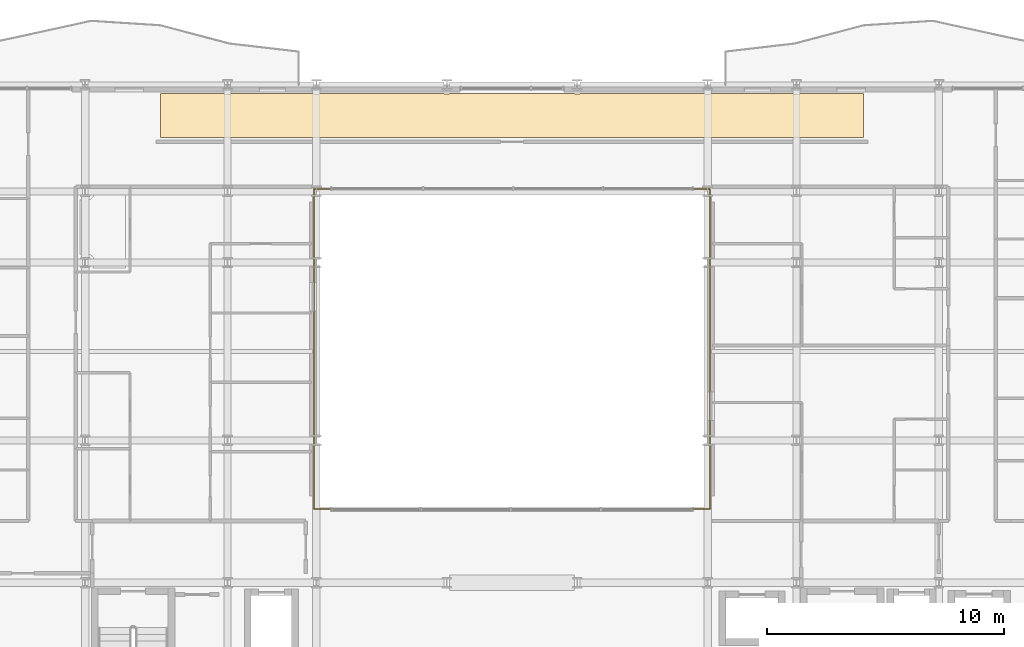
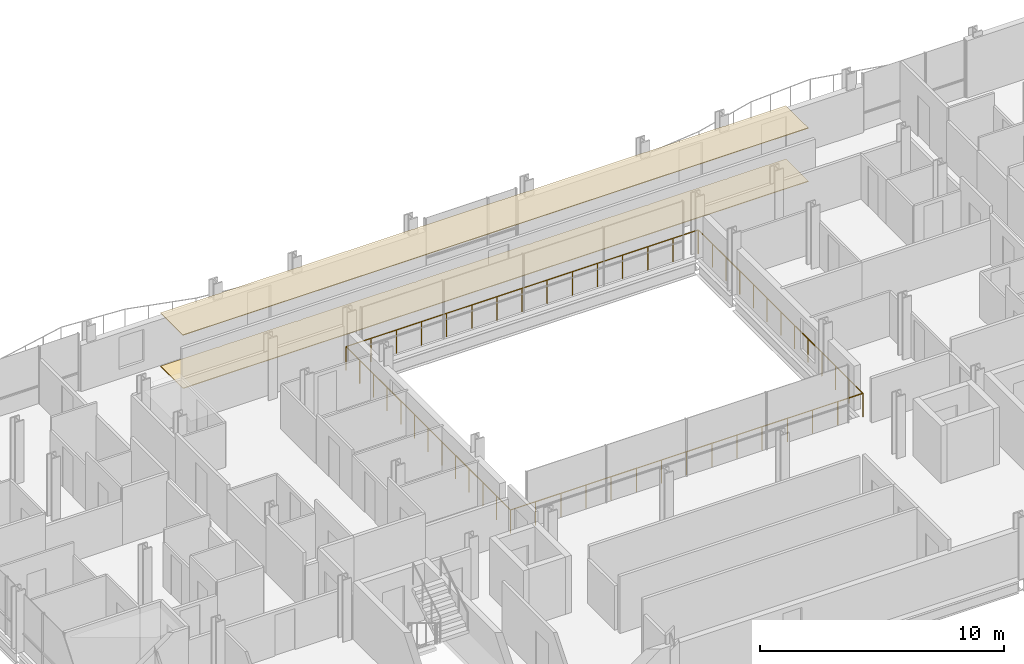
# One storey, part 38 of 40: 2 coverings, 2 railings.
"""IFC4 building model written with IfcOpenShell, lengths in metres."""

from ifc_helpers import new_model, si_unit, direction, frame, origin, origin_2d, place, context, subcontext, project, spatial, polyline, circle, outline, extrude, material, layer, layer_set, type_object, element, save


model = new_model("IFC4")

# Units and contexts
model_context = context("Model", 3, precision=1e-05, world=origin(), true_north=direction((0.0, 1.0)))
body_context = subcontext(model_context, "Body", "Model", "MODEL_VIEW")
ifc_project = project(units=[si_unit("LENGTHUNIT", "METRE"), si_unit("AREAUNIT", "SQUARE_METRE"), si_unit("VOLUMEUNIT", "CUBIC_METRE"), si_unit("PLANEANGLEUNIT", "RADIAN"), si_unit("MASSUNIT", "GRAM", prefix="KILO")], contexts=[model_context])

# Site, building, storey
site_placement = place(None, origin())
site = spatial("IfcSite", under=ifc_project, at=site_placement, CompositionType="ELEMENT")
building_placement = place(site_placement, origin())
building = spatial("IfcBuilding", under=site, at=building_placement, Name="Brevholm Reach", CompositionType="ELEMENT")
storey_placement = place(building_placement, frame((0.0, 0.0, 62.10009765625)))
storey = spatial("IfcBuildingStorey", under=building, at=storey_placement, Name="L17", CompositionType="ELEMENT", Elevation=62.10009765625)

# Coverings
ifc_material_1 = material(Name="Moisture-Resistant Skimmed Gypsum Plasterboard Ceiling", Category="gypsum")
ifc_layer_1 = layer(ifc_material_1, 0.030029296875)
ifc_layer_set_1 = layer_set([ifc_layer_1], Name="Moisture-Resistant Skimmed Gypsum Plasterboard Ceiling")
covering_type_1 = type_object("IfcCoveringType", Name="COV-CLG-GYP", PredefinedType="CEILING", material=ifc_layer_set_1)
covering_1_placement = place(storey_placement, frame((0.0, 0.0, 2.669921875)))
element("IfcCovering", 1, at=covering_1_placement, inside=storey, type_object=covering_type_1, Name="L17 Suspended Ceiling L17-73", PredefinedType="CEILING", context=body_context, shape_type="SweptSolid", body=[
    extrude(outline(polyline([(15.179931640625, 30.6201171875), (17.876220703125, 30.6201171875), (17.8837890625, 30.6171875), (17.922119140625, 30.607666015625), (17.960693359375, 30.601806640625), (18.0, 30.60009765625), (18.039306640625, 30.601806640625), (18.077880859375, 30.607666015625), (18.1162109375, 30.6171875), (18.123779296875, 30.6201171875), (21.626220703125, 30.6201171875), (21.6337890625, 30.6171875), (21.672119140625, 30.607666015625), (21.710693359375, 30.601806640625), (21.75, 30.60009765625), (21.789306640625, 30.601806640625), (21.827880859375, 30.607666015625), (21.8662109375, 30.6171875), (21.873779296875, 30.6201171875), (27.126220703125, 30.6201171875), (27.1337890625, 30.6171875), (27.172119140625, 30.607666015625), (27.210693359375, 30.601806640625), (27.25, 30.60009765625), (27.289306640625, 30.601806640625), (27.327880859375, 30.607666015625), (27.3662109375, 30.6171875), (27.373779296875, 30.6201171875), (32.626220703125, 30.6201171875), (32.6337890625, 30.6171875), (32.672119140625, 30.607666015625), (32.710693359375, 30.601806640625), (32.75, 30.60009765625), (32.789306640625, 30.601806640625), (32.827880859375, 30.607666015625), (32.8662109375, 30.6171875), (32.873779296875, 30.6201171875), (38.126220703125, 30.6201171875), (38.1337890625, 30.6171875), (38.172119140625, 30.607666015625), (38.210693359375, 30.601806640625), (38.25, 30.60009765625), (38.289306640625, 30.601806640625), (38.327880859375, 30.607666015625), (38.3662109375, 30.6171875), (38.373779296875, 30.6201171875), (41.876220703125, 30.6201171875), (41.8837890625, 30.6171875), (41.922119140625, 30.607666015625), (41.960693359375, 30.601806640625), (42.0, 30.60009765625), (42.039306640625, 30.601806640625), (42.077880859375, 30.607666015625), (42.1162109375, 30.6171875), (42.123779296875, 30.6201171875), (44.820068359375, 30.6201171875), (44.820068359375, 28.783935546875), (15.179931640625, 28.783935546875), (15.179931640625, 30.6201171875)])), origin(), (0.0, 0.0, 1.0), 0.030029296875),
])
ifc_material_2 = material(Name="Honed Portland-Aggregate Resin Terrazzo Flooring", Category="concrete")
ifc_layer_2 = layer(ifc_material_2, 0.031982421875)
ifc_layer_set_2 = layer_set([ifc_layer_2], Name="Honed Portland-Aggregate Resin Terrazzo Flooring")
covering_type_2 = type_object("IfcCoveringType", Name="COV-FLR-TRZ", PredefinedType="FLOORING", material=ifc_layer_set_2)
covering_2_placement = place(storey_placement, origin())
element("IfcCovering", 2, at=covering_2_placement, inside=storey, type_object=covering_type_2, Name="L17 Floor Finish L17-73", PredefinedType="FLOORING", context=body_context, shape_type="SweptSolid", body=[
    extrude(outline(polyline([(15.179931640625, 30.6201171875), (17.876220703125, 30.6201171875), (17.8837890625, 30.6171875), (17.922119140625, 30.607666015625), (17.960693359375, 30.601806640625), (18.0, 30.60009765625), (18.039306640625, 30.601806640625), (18.077880859375, 30.607666015625), (18.1162109375, 30.6171875), (18.123779296875, 30.6201171875), (21.626220703125, 30.6201171875), (21.6337890625, 30.6171875), (21.672119140625, 30.607666015625), (21.710693359375, 30.601806640625), (21.75, 30.60009765625), (21.789306640625, 30.601806640625), (21.827880859375, 30.607666015625), (21.8662109375, 30.6171875), (21.873779296875, 30.6201171875), (27.126220703125, 30.6201171875), (27.1337890625, 30.6171875), (27.172119140625, 30.607666015625), (27.210693359375, 30.601806640625), (27.25, 30.60009765625), (27.289306640625, 30.601806640625), (27.327880859375, 30.607666015625), (27.3662109375, 30.6171875), (27.373779296875, 30.6201171875), (32.626220703125, 30.6201171875), (32.6337890625, 30.6171875), (32.672119140625, 30.607666015625), (32.710693359375, 30.601806640625), (32.75, 30.60009765625), (32.789306640625, 30.601806640625), (32.827880859375, 30.607666015625), (32.8662109375, 30.6171875), (32.873779296875, 30.6201171875), (38.126220703125, 30.6201171875), (38.1337890625, 30.6171875), (38.172119140625, 30.607666015625), (38.210693359375, 30.601806640625), (38.25, 30.60009765625), (38.289306640625, 30.601806640625), (38.327880859375, 30.607666015625), (38.3662109375, 30.6171875), (38.373779296875, 30.6201171875), (41.876220703125, 30.6201171875), (41.8837890625, 30.6171875), (41.922119140625, 30.607666015625), (41.960693359375, 30.601806640625), (42.0, 30.60009765625), (42.039306640625, 30.601806640625), (42.077880859375, 30.607666015625), (42.1162109375, 30.6171875), (42.123779296875, 30.6201171875), (44.820068359375, 30.6201171875), (44.820068359375, 28.783935546875), (15.179931640625, 28.783935546875), (15.179931640625, 30.6201171875)])), origin(), (0.0, 0.0, 1.0), 0.031982421875),
])

# Railings
ifc_material_3 = material(Name="Brushed Stainless Steel EN 1.4401 and Laminated Glass", Category="steel")
railing_type = type_object("IfcRailingType", Name="RAL-TERR-1200", PredefinedType="BALUSTRADE", material=ifc_material_3)
railing_1_placement = place(storey_placement, frame((21.64990234375, 13.10009765625, 0.0)))
element("IfcRailing", 3, at=railing_1_placement, inside=storey, type_object=railing_type, Name="L17 Guard Balustrade RAL-L17-AT-VOID-SW", PredefinedType="BALUSTRADE", context=body_context, shape_type="SweptSolid", body=[
    extrude(circle(Radius=0.02392578125, at=origin_2d()), frame((0.0, 0.0, 1.17578125), z_axis=(1.0, 0.0, 0.0), x_axis=(0.0, 1.0, 0.0)), (0.0, 0.0, 1.0), 16.7001953125),
    extrude(circle(Radius=0.02392578125, at=origin_2d()), frame((16.7001953125, 0.0, 1.17578125), z_axis=(0.0, 1.0, 0.0), x_axis=(-1.0, 0.0, 0.0)), (0.0, 0.0, 1.0), 13.47998046875),
    extrude(circle(Radius=0.02099609375, at=origin_2d()), origin(), (0.0, 0.0, 1.0), 1.15185546875),
    extrude(circle(Radius=0.02099609375, at=origin_2d()), frame((1.19287109375, 0.0, 0.0)), (0.0, 0.0, 1.0), 1.15185546875),
    extrude(circle(Radius=0.02099609375, at=origin_2d()), frame((2.3857421875, 0.0, 0.0)), (0.0, 0.0, 1.0), 1.15185546875),
    extrude(circle(Radius=0.02099609375, at=origin_2d()), frame((3.57861328125, 0.0, 0.0)), (0.0, 0.0, 1.0), 1.15185546875),
    extrude(circle(Radius=0.02099609375, at=origin_2d()), frame((4.771484375, 0.0, 0.0)), (0.0, 0.0, 1.0), 1.15185546875),
    extrude(circle(Radius=0.02099609375, at=origin_2d()), frame((5.96435546875, 0.0, 0.0)), (0.0, 0.0, 1.0), 1.15185546875),
    extrude(circle(Radius=0.02099609375, at=origin_2d()), frame((7.1572265625, 0.0, 0.0)), (0.0, 0.0, 1.0), 1.15185546875),
    extrude(circle(Radius=0.02099609375, at=origin_2d()), frame((8.35009765625, 0.0, 0.0)), (0.0, 0.0, 1.0), 1.15185546875),
    extrude(circle(Radius=0.02099609375, at=origin_2d()), frame((9.54296875, 0.0, 0.0)), (0.0, 0.0, 1.0), 1.15185546875),
    extrude(circle(Radius=0.02099609375, at=origin_2d()), frame((10.73583984375, 0.0, 0.0)), (0.0, 0.0, 1.0), 1.15185546875),
    extrude(circle(Radius=0.02099609375, at=origin_2d()), frame((11.9287109375, 0.0, 0.0)), (0.0, 0.0, 1.0), 1.15185546875),
    extrude(circle(Radius=0.02099609375, at=origin_2d()), frame((13.12158203125, 0.0, 0.0)), (0.0, 0.0, 1.0), 1.15185546875),
    extrude(circle(Radius=0.02099609375, at=origin_2d()), frame((14.314453125, 0.0, 0.0)), (0.0, 0.0, 1.0), 1.15185546875),
    extrude(circle(Radius=0.02099609375, at=origin_2d()), frame((15.50732421875, 0.0, 0.0)), (0.0, 0.0, 1.0), 1.15185546875),
    extrude(circle(Radius=0.02099609375, at=origin_2d()), frame((16.7001953125, 0.0, 0.0)), (0.0, 0.0, 1.0), 1.15185546875),
    extrude(circle(Radius=0.02099609375, at=origin_2d()), frame((16.7001953125, 1.123291015625, 0.0)), (0.0, 0.0, 1.0), 1.15185546875),
    extrude(circle(Radius=0.02099609375, at=origin_2d()), frame((16.7001953125, 2.24658203125, 0.0)), (0.0, 0.0, 1.0), 1.15185546875),
    extrude(circle(Radius=0.02099609375, at=origin_2d()), frame((16.7001953125, 3.3701171875, 0.0)), (0.0, 0.0, 1.0), 1.15185546875),
    extrude(circle(Radius=0.02099609375, at=origin_2d()), frame((16.7001953125, 4.493408203125, 0.0)), (0.0, 0.0, 1.0), 1.15185546875),
    extrude(circle(Radius=0.02099609375, at=origin_2d()), frame((16.7001953125, 5.61669921875, 0.0)), (0.0, 0.0, 1.0), 1.15185546875),
    extrude(circle(Radius=0.02099609375, at=origin_2d()), frame((16.7001953125, 6.739990234375, 0.0)), (0.0, 0.0, 1.0), 1.15185546875),
    extrude(circle(Radius=0.02099609375, at=origin_2d()), frame((16.7001953125, 7.86328125, 0.0)), (0.0, 0.0, 1.0), 1.15185546875),
    extrude(circle(Radius=0.02099609375, at=origin_2d()), frame((16.7001953125, 8.986572265625, 0.0)), (0.0, 0.0, 1.0), 1.15185546875),
    extrude(circle(Radius=0.02099609375, at=origin_2d()), frame((16.7001953125, 10.10986328125, 0.0)), (0.0, 0.0, 1.0), 1.15185546875),
    extrude(circle(Radius=0.02099609375, at=origin_2d()), frame((16.7001953125, 11.2333984375, 0.0)), (0.0, 0.0, 1.0), 1.15185546875),
    extrude(circle(Radius=0.02099609375, at=origin_2d()), frame((16.7001953125, 12.356689453125, 0.0)), (0.0, 0.0, 1.0), 1.15185546875),
    extrude(circle(Radius=0.02099609375, at=origin_2d()), frame((16.7001953125, 13.47998046875, 0.0)), (0.0, 0.0, 1.0), 1.15185546875),
])
railing_2_placement = place(storey_placement, frame((38.330078125, 26.60009765625, 0.0)))
element("IfcRailing", 4, at=railing_2_placement, inside=storey, type_object=railing_type, Name="L17 Guard Balustrade RAL-L17-AT-VOID-NE", PredefinedType="BALUSTRADE", context=body_context, shape_type="SweptSolid", body=[
    extrude(circle(Radius=0.02392578125, at=origin_2d()), frame((0.0, 0.0, 1.17578125), z_axis=(-1.0, 0.0, 0.0), x_axis=(0.0, -1.0, 0.0)), (0.0, 0.0, 1.0), 16.68017578125),
    extrude(circle(Radius=0.02392578125, at=origin_2d()), frame((-16.68017578125, 0.0, 1.17578125), z_axis=(0.0, -1.0, 0.0), x_axis=(1.0, 0.0, 0.0)), (0.0, 0.0, 1.0), 13.47998046875),
    extrude(circle(Radius=0.02099609375, at=origin_2d()), origin(), (0.0, 0.0, 1.0), 1.15185546875),
    extrude(circle(Radius=0.02099609375, at=origin_2d()), frame((-1.19140625, 0.0, 0.0)), (0.0, 0.0, 1.0), 1.15185546875),
    extrude(circle(Radius=0.02099609375, at=origin_2d()), frame((-2.3828125, 0.0, 0.0)), (0.0, 0.0, 1.0), 1.15185546875),
    extrude(circle(Radius=0.02099609375, at=origin_2d()), frame((-3.57421875, 0.0, 0.0)), (0.0, 0.0, 1.0), 1.15185546875),
    extrude(circle(Radius=0.02099609375, at=origin_2d()), frame((-4.765869140625, 0.0, 0.0)), (0.0, 0.0, 1.0), 1.15185546875),
    extrude(circle(Radius=0.02099609375, at=origin_2d()), frame((-5.957275390625, 0.0, 0.0)), (0.0, 0.0, 1.0), 1.15185546875),
    extrude(circle(Radius=0.02099609375, at=origin_2d()), frame((-7.148681640625, 0.0, 0.0)), (0.0, 0.0, 1.0), 1.15185546875),
    extrude(circle(Radius=0.02099609375, at=origin_2d()), frame((-8.340087890625, 0.0, 0.0)), (0.0, 0.0, 1.0), 1.15185546875),
    extrude(circle(Radius=0.02099609375, at=origin_2d()), frame((-9.531494140625, 0.0, 0.0)), (0.0, 0.0, 1.0), 1.15185546875),
    extrude(circle(Radius=0.02099609375, at=origin_2d()), frame((-10.722900390625, 0.0, 0.0)), (0.0, 0.0, 1.0), 1.15185546875),
    extrude(circle(Radius=0.02099609375, at=origin_2d()), frame((-11.914306640625, 0.0, 0.0)), (0.0, 0.0, 1.0), 1.15185546875),
    extrude(circle(Radius=0.02099609375, at=origin_2d()), frame((-13.10595703125, 0.0, 0.0)), (0.0, 0.0, 1.0), 1.15185546875),
    extrude(circle(Radius=0.02099609375, at=origin_2d()), frame((-14.29736328125, 0.0, 0.0)), (0.0, 0.0, 1.0), 1.15185546875),
    extrude(circle(Radius=0.02099609375, at=origin_2d()), frame((-15.48876953125, 0.0, 0.0)), (0.0, 0.0, 1.0), 1.15185546875),
    extrude(circle(Radius=0.02099609375, at=origin_2d()), frame((-16.68017578125, 0.0, 0.0)), (0.0, 0.0, 1.0), 1.15185546875),
    extrude(circle(Radius=0.02099609375, at=origin_2d()), frame((-16.68017578125, -1.123291015625, 0.0)), (0.0, 0.0, 1.0), 1.15185546875),
    extrude(circle(Radius=0.02099609375, at=origin_2d()), frame((-16.68017578125, -2.24658203125, 0.0)), (0.0, 0.0, 1.0), 1.15185546875),
    extrude(circle(Radius=0.02099609375, at=origin_2d()), frame((-16.68017578125, -3.3701171875, 0.0)), (0.0, 0.0, 1.0), 1.15185546875),
    extrude(circle(Radius=0.02099609375, at=origin_2d()), frame((-16.68017578125, -4.493408203125, 0.0)), (0.0, 0.0, 1.0), 1.15185546875),
    extrude(circle(Radius=0.02099609375, at=origin_2d()), frame((-16.68017578125, -5.61669921875, 0.0)), (0.0, 0.0, 1.0), 1.15185546875),
    extrude(circle(Radius=0.02099609375, at=origin_2d()), frame((-16.68017578125, -6.739990234375, 0.0)), (0.0, 0.0, 1.0), 1.15185546875),
    extrude(circle(Radius=0.02099609375, at=origin_2d()), frame((-16.68017578125, -7.86328125, 0.0)), (0.0, 0.0, 1.0), 1.15185546875),
    extrude(circle(Radius=0.02099609375, at=origin_2d()), frame((-16.68017578125, -8.986572265625, 0.0)), (0.0, 0.0, 1.0), 1.15185546875),
    extrude(circle(Radius=0.02099609375, at=origin_2d()), frame((-16.68017578125, -10.10986328125, 0.0)), (0.0, 0.0, 1.0), 1.15185546875),
    extrude(circle(Radius=0.02099609375, at=origin_2d()), frame((-16.68017578125, -11.2333984375, 0.0)), (0.0, 0.0, 1.0), 1.15185546875),
    extrude(circle(Radius=0.02099609375, at=origin_2d()), frame((-16.68017578125, -12.356689453125, 0.0)), (0.0, 0.0, 1.0), 1.15185546875),
    extrude(circle(Radius=0.02099609375, at=origin_2d()), frame((-16.68017578125, -13.47998046875, 0.0)), (0.0, 0.0, 1.0), 1.15185546875),
])

save(model, "model.ifc")
